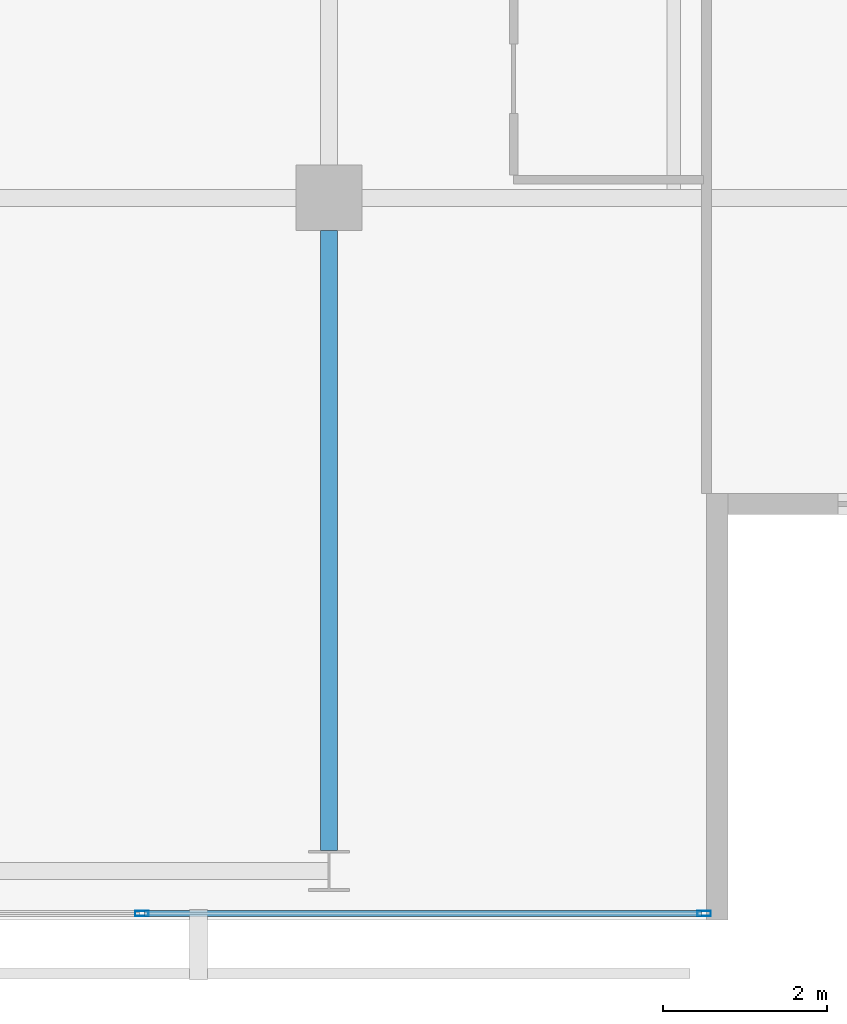
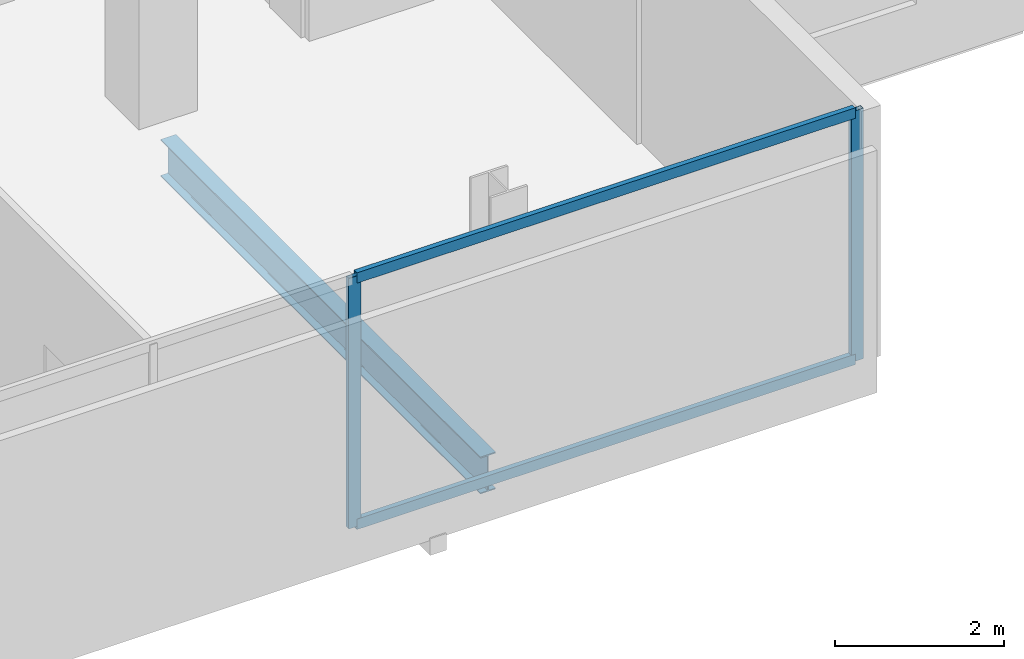
# One storey, part 10 of 25: 4 members, 1 beam, 1 element without a shape of its own.
"""IFC4 building model written with IfcOpenShell, lengths in metres."""

from ifc_helpers import new_model, si_unit, direction, frame, origin, origin_2d, place, context, subcontext, project, spatial, hollow_rectangle, i_section, extrude, material, layer, layer_set, material_profile, profile_set, type_object, element, aggregate, save


model = new_model("IFC4")

# Units and contexts
model_context = context("Model", 3, precision=1e-05, world=origin(), true_north=direction((0.0, 1.0)))
body_context = subcontext(model_context, "Body", "Model", "MODEL_VIEW")
ifc_project = project(units=[si_unit("LENGTHUNIT", "METRE"), si_unit("AREAUNIT", "SQUARE_METRE"), si_unit("VOLUMEUNIT", "CUBIC_METRE"), si_unit("PLANEANGLEUNIT", "RADIAN"), si_unit("MASSUNIT", "GRAM", prefix="KILO")], contexts=[model_context])

# Site, building, storey
site_placement = place(None, origin())
site = spatial("IfcSite", under=ifc_project, at=site_placement, CompositionType="ELEMENT")
building_placement = place(site_placement, origin())
building = spatial("IfcBuilding", under=site, at=building_placement, Name="Maruvema Waterfront Hotel and Observation Tower", CompositionType="ELEMENT")
storey_placement = place(building_placement, frame((0.0, 0.0, 274.050048828125)))
storey = spatial("IfcBuildingStorey", under=building, at=storey_placement, Name="L67", CompositionType="ELEMENT", Elevation=274.050048828125)

# Curtain wall, members
ifc_material_1 = material(Name="Anodised bronze aluminium and solar-control low-E IGU", Category="aluminium")
ifc_layer = layer(ifc_material_1, 0.159912109375, Name="Zone 3 Champagne Inner Thermal Curtain Wall System CW-04")
ifc_layer_set = layer_set([ifc_layer], Name="Anodised bronze aluminium and solar-control low-E IGU")
curtain_wall_type = type_object("IfcCurtainWallType", Name="Zone 3 Champagne Inner Thermal Curtain Wall System CW-04", PredefinedType="USERDEFINED", material=ifc_layer_set)
curtain_wall_placement = place(storey_placement, origin())
curtain_wall = element("IfcCurtainWall", 1, at=curtain_wall_placement, inside=storey, type_object=curtain_wall_type, Name="L67 Curtain Wall CW-L67-S", ObjectType="UNITISED CURTAIN WALL", PredefinedType="USERDEFINED")
ifc_material_2 = material(Name="Anodised architectural bronze aluminium", Category="aluminium")
ifc_material_profile_1 = material_profile(ifc_material_2, hollow_rectangle(XDim=0.070068359375, YDim=0.14990234375, WallThickness=0.00390625, at=origin_2d()), Name="ALU-T70x150")
ifc_profile_set_1 = profile_set([ifc_material_profile_1], Name="Anodised architectural bronze aluminium")
member_type_1 = type_object("IfcMemberType", Name="Curtain Wall Horizontal Transom ALU-T70x150", PredefinedType="USERDEFINED", material=ifc_profile_set_1)
member_1_placement = place(storey_placement, frame((48.14990234375, 9.280029296875, 0.030029296875), z_axis=(1.0, 0.0, 0.0), x_axis=(0.0, 1.0, 0.0)))
member_1 = element("IfcMember", 2, at=member_1_placement, type_object=member_type_1, Name="CW-04 transom 5.1", ObjectType="TRANSOM", PredefinedType="USERDEFINED", context=body_context, shape_type="SweptSolid", body=[
    extrude(hollow_rectangle(XDim=0.070068359375, YDim=0.14990234375, WallThickness=0.00390625, at=origin_2d()), origin(), (0.0, 0.0, 1.0), 6.7900390625),
])
member_2_placement = place(storey_placement, frame((48.14990234375, 9.280029296875, 3.579833984375), z_axis=(1.0, 0.0, 0.0), x_axis=(0.0, 1.0, 0.0)))
member_2 = element("IfcMember", 3, at=member_2_placement, type_object=member_type_1, Name="CW-04 transom 5.2", ObjectType="TRANSOM", PredefinedType="USERDEFINED", context=body_context, shape_type="SweptSolid", body=[
    extrude(hollow_rectangle(XDim=0.070068359375, YDim=0.14990234375, WallThickness=0.00390625, at=origin_2d()), origin(), (0.0, 0.0, 1.0), 6.7900390625),
])
ifc_material_3 = material(Name="Anodised architectural bronze aluminium", Category="aluminium")
ifc_material_profile_2 = material_profile(ifc_material_3, hollow_rectangle(XDim=0.06494140625, YDim=0.1650390625, WallThickness=0.00390625, at=origin_2d()), Name="ALU-M65x165")
ifc_profile_set_2 = profile_set([ifc_material_profile_2], Name="Anodised architectural bronze aluminium")
member_type_2 = type_object("IfcMemberType", Name="Curtain Wall Primary Mullion ALU-M65x165", PredefinedType="MULLION", material=ifc_profile_set_2)
member_3_placement = place(storey_placement, frame((48.1201171875, 9.280029296875, 0.0), z_axis=(0.0, 0.0, 1.0), x_axis=(0.0, 1.0, 0.0)))
member_3 = element("IfcMember", 4, at=member_3_placement, type_object=member_type_2, Name="CW-04 mullion 5", PredefinedType="MULLION", context=body_context, shape_type="SweptSolid", body=[
    extrude(hollow_rectangle(XDim=0.06494140625, YDim=0.1650390625, WallThickness=0.00390625, at=origin_2d()), origin(), (0.0, 0.0, 1.0), 3.60986328125),
])
member_4_placement = place(storey_placement, frame((54.969970703125, 9.280029296875, 0.0), z_axis=(0.0, 0.0, 1.0), x_axis=(0.0, 1.0, 0.0)))
member_4 = element("IfcMember", 5, at=member_4_placement, type_object=member_type_2, Name="CW-04 mullion 6", PredefinedType="MULLION", context=body_context, shape_type="SweptSolid", body=[
    extrude(hollow_rectangle(XDim=0.06494140625, YDim=0.1650390625, WallThickness=0.00390625, at=origin_2d()), origin(), (0.0, 0.0, 1.0), 3.60986328125),
])
aggregate(curtain_wall, [member_3, member_4, member_1, member_2])

# Beam
ifc_material_4 = material(Name="Steel ASTM A572 Grade 50", Category="steel")
ifc_material_profile_3 = material_profile(ifc_material_4, i_section(OverallWidth=0.208984375, OverallDepth=0.532958984375, WebThickness=0.01025390625, FlangeThickness=0.015625, FilletRadius=0.014892578125, at=origin_2d()), Name="W530x92.0")
ifc_profile_set_3 = profile_set([ifc_material_profile_3], Name="Steel ASTM A572 Grade 50")
beam_type = type_object("IfcBeamType", Name="Primary Floor Girder W530x92.0", PredefinedType="BEAM", material=ifc_profile_set_3)
beam_placement = place(storey_placement, frame((50.39990234375, 10.050048828125, -0.506591796875), z_axis=(0.0, 1.0, 0.0), x_axis=(-1.0, 0.0, 0.0)))
element("IfcBeam", 6, at=beam_placement, inside=storey, type_object=beam_type, Name="L67 Floor Girder NS-12", PredefinedType="BEAM", context=body_context, shape_type="SweptSolid", body=[
    extrude(i_section(OverallWidth=0.208984375, OverallDepth=0.532958984375, WebThickness=0.01025390625, FlangeThickness=0.015625, FilletRadius=0.014892578125, at=origin_2d()), origin(), (0.0, 0.0, 1.0), 7.550048828125),
])

save(model, "model.ifc")
